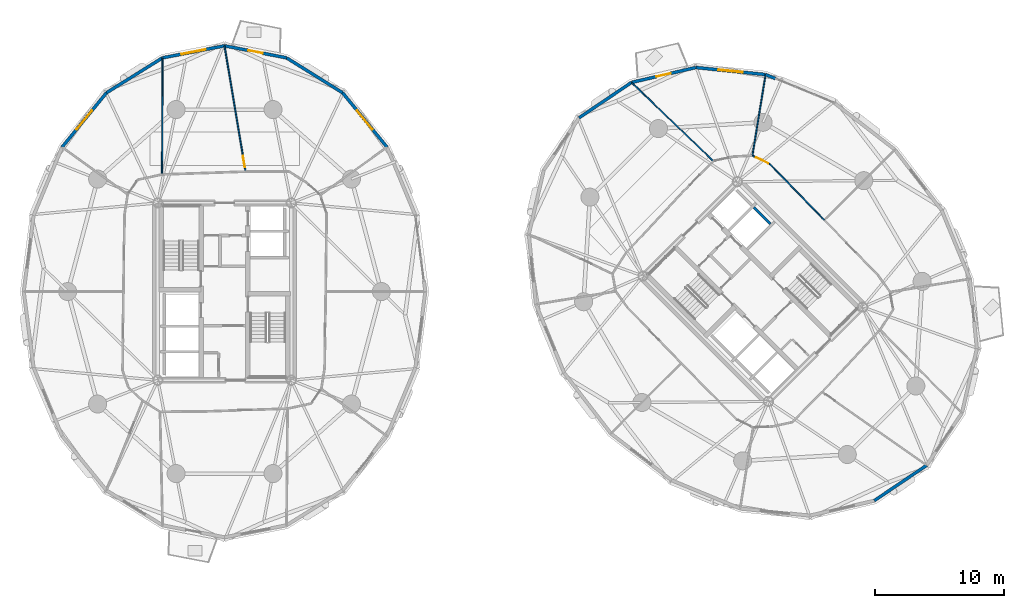
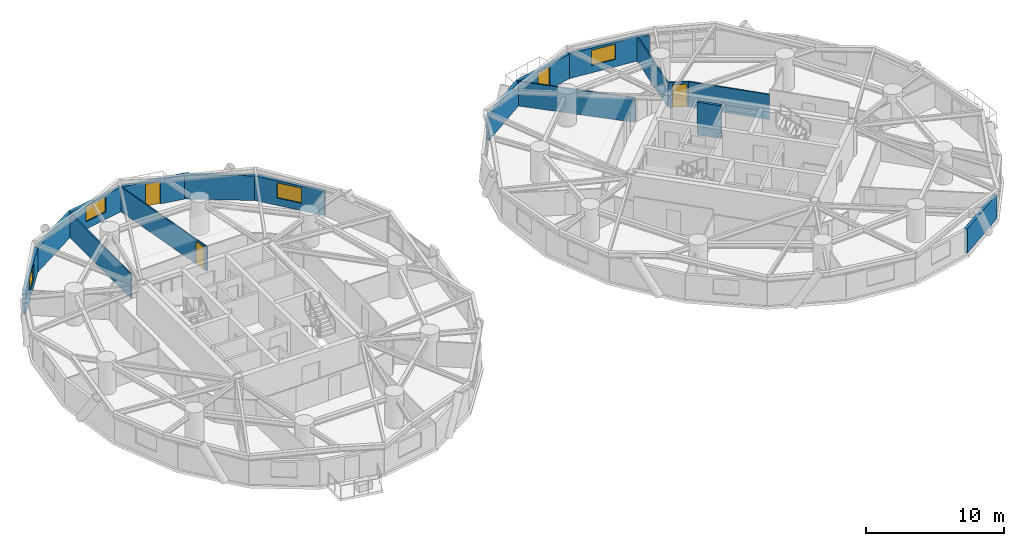
# One storey, part 13 of 17: 18 walls, 4 doors, 4 windows, 8 openings.
"""IFC4 building model written with IfcOpenShell, lengths in metres."""

from ifc_helpers import new_model, si_unit, direction, frame, frame_2d, origin, place, context, subcontext, project, spatial, rectangle, extrude, source, transform, mapped, material, layer, layer_set, type_object, element, fill, save


model = new_model("IFC4")

# Units and contexts
model_context = context("Model", 3, precision=1e-05, world=origin(), true_north=direction((0.0, 1.0)))
body_context = subcontext(model_context, "Body", "Model", "MODEL_VIEW")
ifc_project = project(units=[si_unit("LENGTHUNIT", "METRE"), si_unit("AREAUNIT", "SQUARE_METRE"), si_unit("VOLUMEUNIT", "CUBIC_METRE"), si_unit("PLANEANGLEUNIT", "RADIAN"), si_unit("MASSUNIT", "GRAM", prefix="KILO")], contexts=[model_context])

# Site, building, storey
site_placement = place(None, origin())
site = spatial("IfcSite", under=ifc_project, at=site_placement, CompositionType="ELEMENT")
building_placement = place(site_placement, origin())
building = spatial("IfcBuilding", under=site, at=building_placement, Name="Cununo Teusaquillo Station Towers", CompositionType="ELEMENT")
storey_placement = place(building_placement, frame((0.0, 0.0, 96.340087890625)))
storey = spatial("IfcBuildingStorey", under=building, at=storey_placement, Name="L30", CompositionType="ELEMENT", Elevation=96.340087890625)

# Wall
ifc_material_1 = material(Name="Concrete C50/60", Category="concrete")
ifc_layer_1 = layer(ifc_material_1, 0.199951171875)
ifc_layer_set_1 = layer_set([ifc_layer_1], Name="Concrete C50/60")
wall_type_1 = type_object("IfcWallType", Name="WL-CORE-200", PredefinedType="SHEAR", material=ifc_layer_set_1)
wall_1_placement = place(storey_placement, frame((58.86474609375, 29.75390625, 0.0), z_axis=(0.0, 0.0, 1.0), x_axis=(-0.707174411312, 0.707039144592, 0.0)))
element("IfcWall", 1, at=wall_1_placement, inside=storey, type_object=wall_type_1, Name="L30 Tower B Low-Rise Lift 1 Shaft Rear Shear Wall", PredefinedType="SHEAR", context=body_context, shape_type="SweptSolid", body=[
    extrude(rectangle(XDim=1.804931640625, YDim=0.199951171875, at=frame_2d((0.90234375, 0.0))), origin(), (0.0, 0.0, 1.0), 2.909912109375),
])

# Wall, opening, window
ifc_material_2 = material(Name="Precast concrete C40/50", Category="concrete")
ifc_layer_2 = layer(ifc_material_2, 0.239990234375)
ifc_layer_set_2 = layer_set([ifc_layer_2], Name="Precast concrete C40/50")
wall_type_2 = type_object("IfcWallType", Name="WL-EXT-240", PredefinedType="SOLIDWALL", material=ifc_layer_set_2)
wall_2_placement = place(storey_placement, frame((25.658203125, 39.927978515625, 0.0), z_axis=(0.0, 0.0, 1.0), x_axis=(0.632700781152, -0.77439635945, 0.0)))
wall_2 = element("IfcWall", 2, at=wall_2_placement, inside=storey, type_object=wall_type_2, Name="L30 Tower A Exterior Facade Wall C02", PredefinedType="SOLIDWALL", context=body_context, shape_type="SweptSolid", body=[
    extrude(rectangle(XDim=5.447998046875, YDim=0.239990234375, at=frame_2d((2.72412109375, 0.0))), origin(), (0.0, 0.0, 1.0), 2.178955078125),
])
shared_shape_1 = source(origin(), body_context, "Body", "SweptSolid", [
    extrude(rectangle(XDim=1.89990234375, YDim=1.35009765625, at=frame_2d((0.949951171875, 0.675048828125))), frame((0.0, 0.1298828125, 0.0), z_axis=(0.0, -1.0, 0.0), x_axis=(1.0, 0.0, 0.0)), (0.0, 0.0, 1.0), 0.260009765625),
])
opening_1_placement = place(wall_2_placement, frame((1.77392578125, 0.0, 0.64990234375)))
opening_1 = element("IfcOpeningElement", 3, at=opening_1_placement, cuts=wall_2, Name="Opening WN-02", PredefinedType="OPENING", context=body_context, shape_type="MappedRepresentation", body=[
    mapped(shared_shape_1, transform((0.0, 0.0, 0.0), x_axis=(1.0, 0.0, 0.0), y_axis=(0.0, 1.0, 0.0), z_axis=(0.0, 0.0, 1.0), scale=1.0)),
])
ifc_material_3 = material(Name="Operable acoustic tinted low-E double glazing", Category="glass")
window_type = type_object("IfcWindowType", Name="WIN-OPER-1900", PartitioningType="DOUBLE_PANEL_VERTICAL", PredefinedType="WINDOW", material=ifc_material_3)
shared_shape_2 = source(origin(), body_context, "Body", "SweptSolid", [
    extrude(rectangle(XDim=1.89990234375, YDim=1.35009765625, at=frame_2d((0.949951171875, 0.675048828125))), frame((0.0, 0.030029296875, 0.0), z_axis=(0.0, -1.0, 0.0), x_axis=(1.0, 0.0, 0.0)), (0.0, 0.0, 1.0), 0.06005859375),
])
window_1_placement = place(opening_1_placement, origin())
window_1 = element("IfcWindow", 4, at=window_1_placement, inside=storey, type_object=window_type, Name="L30 Tower A Facade Window C02", OverallHeight=1.35009765625, OverallWidth=1.89990234375, PartitioningType="DOUBLE_PANEL_VERTICAL", PredefinedType="WINDOW", context=body_context, shape_type="MappedRepresentation", body=[
    mapped(shared_shape_2, transform((0.0, 0.0, 0.0), x_axis=(1.0, 0.0, 0.0), y_axis=(0.0, 1.0, 0.0), z_axis=(0.0, 0.0, 1.0), scale=1.0)),
])
fill(opening_1, window_1)

# Wall
wall_3_placement = place(storey_placement, frame((21.314697265625, 42.63671875, 0.0), z_axis=(0.0, 0.0, 1.0), x_axis=(0.848520380187, -0.529162701263, 0.0)))
element("IfcWall", 5, at=wall_3_placement, inside=storey, type_object=wall_type_2, Name="L30 Tower A Exterior Facade Wall C03", PredefinedType="SOLIDWALL", context=body_context, shape_type="SweptSolid", body=[
    extrude(rectangle(XDim=5.118896484375, YDim=0.239990234375, at=frame_2d((2.5595703125, 0.0))), origin(), (0.0, 0.0, 1.0), 2.178955078125),
])

# Wall, opening, door
wall_4_placement = place(storey_placement, frame((16.5, 43.570068359375, 0.0), z_axis=(0.0, 0.0, 1.0), x_axis=(0.981723785992, -0.190311344954, 0.0)))
wall_4 = element("IfcWall", 6, at=wall_4_placement, inside=storey, type_object=wall_type_2, Name="L30 Tower A Exterior Facade Wall C04", PredefinedType="SOLIDWALL", context=body_context, shape_type="SweptSolid", body=[
    extrude(rectangle(XDim=4.904296875, YDim=0.239990234375, at=frame_2d((2.4521484375, 0.0))), origin(), (0.0, 0.0, 1.0), 2.178955078125),
])
shared_shape_3 = source(origin(), body_context, "Body", "SweptSolid", [
    extrude(rectangle(XDim=1.14990234375, YDim=2.0048828125, at=frame_2d((0.574951171875, 1.00244140625))), frame((0.0, 0.1298828125, 0.0), z_axis=(0.0, -1.0, 0.0), x_axis=(1.0, 0.0, 0.0)), (0.0, 0.0, 1.0), 0.260009765625),
])
opening_2_placement = place(wall_4_placement, frame((1.876953125, 0.0, 0.0)))
opening_2 = element("IfcOpeningElement", 7, at=opening_2_placement, cuts=wall_4, Name="Opening ED-03", PredefinedType="OPENING", context=body_context, shape_type="MappedRepresentation", body=[
    mapped(shared_shape_3, transform((0.0, 0.0, 0.0), x_axis=(1.0, 0.0, 0.0), y_axis=(0.0, 1.0, 0.0), z_axis=(0.0, 0.0, 1.0), scale=1.0)),
])
ifc_material_4 = material(Name="Anodised dark bronze aluminium EN AW-6063-T6", Category="aluminium")
door_type_1 = type_object("IfcDoorType", Name="DR-EXT-BAL", OperationType="NOTDEFINED", PredefinedType="DOOR", material=ifc_material_4)
shared_shape_4 = source(origin(), body_context, "Body", "SweptSolid", [
    extrude(rectangle(XDim=1.14990234375, YDim=2.0048828125, at=frame_2d((0.574951171875, 1.00244140625))), frame((0.0, 0.02490234375, 0.0), z_axis=(0.0, -1.0, 0.0), x_axis=(1.0, 0.0, 0.0)), (0.0, 0.0, 1.0), 0.050048828125),
])
door_1_placement = place(opening_2_placement, origin())
door_1 = element("IfcDoor", 8, at=door_1_placement, inside=storey, type_object=door_type_1, Name="L30 Tower A Tree Balcony Door C04", OperationType="SINGLE_SWING_LEFT", OverallHeight=2.0048828125, OverallWidth=1.14990234375, PredefinedType="DOOR", context=body_context, shape_type="MappedRepresentation", body=[
    mapped(shared_shape_4, transform((0.0, 0.0, 0.0), x_axis=(1.0, 0.0, 0.0), y_axis=(0.0, 1.0, 0.0), z_axis=(0.0, 0.0, 1.0), scale=1.0)),
])
fill(opening_2, door_1)

# Wall, opening, window
wall_5_placement = place(storey_placement, frame((11.685302734375, 42.63671875, 0.0), z_axis=(0.0, 0.0, 1.0), x_axis=(0.981723785992, 0.190311344954, 0.0)))
wall_5 = element("IfcWall", 9, at=wall_5_placement, inside=storey, type_object=wall_type_2, Name="L30 Tower A Exterior Facade Wall C05", PredefinedType="SOLIDWALL", context=body_context, shape_type="SweptSolid", body=[
    extrude(rectangle(XDim=4.904296875, YDim=0.239990234375, at=frame_2d((2.4521484375, 0.0))), origin(), (0.0, 0.0, 1.0), 2.178955078125),
])
opening_3_placement = place(wall_5_placement, frame((1.501953125, 0.0, 0.64990234375)))
opening_3 = element("IfcOpeningElement", 10, at=opening_3_placement, cuts=wall_5, Name="Opening WN-02", PredefinedType="OPENING", context=body_context, shape_type="MappedRepresentation", body=[
    mapped(shared_shape_1, transform((0.0, 0.0, 0.0), x_axis=(1.0, 0.0, 0.0), y_axis=(0.0, 1.0, 0.0), z_axis=(0.0, 0.0, 1.0), scale=1.0)),
])
window_2_placement = place(opening_3_placement, origin())
window_2 = element("IfcWindow", 11, at=window_2_placement, inside=storey, type_object=window_type, Name="L30 Tower A Facade Window C05", OverallHeight=1.35009765625, OverallWidth=1.89990234375, PartitioningType="DOUBLE_PANEL_VERTICAL", PredefinedType="WINDOW", context=body_context, shape_type="MappedRepresentation", body=[
    mapped(shared_shape_2, transform((0.0, 0.0, 0.0), x_axis=(1.0, 0.0, 0.0), y_axis=(0.0, 1.0, 0.0), z_axis=(0.0, 0.0, 1.0), scale=1.0)),
])
fill(opening_3, window_2)

# Wall
wall_6_placement = place(storey_placement, frame((7.341796875, 39.927978515625, 0.0), z_axis=(0.0, 0.0, 1.0), x_axis=(0.848520380187, 0.529162701263, 0.0)))
element("IfcWall", 12, at=wall_6_placement, inside=storey, type_object=wall_type_2, Name="L30 Tower A Exterior Facade Wall C06", PredefinedType="SOLIDWALL", context=body_context, shape_type="SweptSolid", body=[
    extrude(rectangle(XDim=5.118896484375, YDim=0.239990234375, at=frame_2d((2.5595703125, 0.0))), origin(), (0.0, 0.0, 1.0), 2.178955078125),
])

# Wall, opening, window
wall_7_placement = place(storey_placement, frame((3.894775390625, 35.708984375, 0.0), z_axis=(0.0, 0.0, 1.0), x_axis=(0.632700781152, 0.77439635945, 0.0)))
wall_7 = element("IfcWall", 13, at=wall_7_placement, inside=storey, type_object=wall_type_2, Name="L30 Tower A Exterior Facade Wall C07", PredefinedType="SOLIDWALL", context=body_context, shape_type="SweptSolid", body=[
    extrude(rectangle(XDim=5.447998046875, YDim=0.239990234375, at=frame_2d((2.72412109375, 0.0))), origin(), (0.0, 0.0, 1.0), 2.178955078125),
])
opening_4_placement = place(wall_7_placement, frame((1.77392578125, 0.0, 0.64990234375)))
opening_4 = element("IfcOpeningElement", 14, at=opening_4_placement, cuts=wall_7, Name="Opening WN-02", PredefinedType="OPENING", context=body_context, shape_type="MappedRepresentation", body=[
    mapped(shared_shape_1, transform((0.0, 0.0, 0.0), x_axis=(1.0, 0.0, 0.0), y_axis=(0.0, 1.0, 0.0), z_axis=(0.0, 0.0, 1.0), scale=1.0)),
])
window_3_placement = place(opening_4_placement, origin())
window_3 = element("IfcWindow", 15, at=window_3_placement, inside=storey, type_object=window_type, Name="L30 Tower A Facade Window C07", OverallHeight=1.35009765625, OverallWidth=1.89990234375, PartitioningType="DOUBLE_PANEL_VERTICAL", PredefinedType="WINDOW", context=body_context, shape_type="MappedRepresentation", body=[
    mapped(shared_shape_2, transform((0.0, 0.0, 0.0), x_axis=(1.0, 0.0, 0.0), y_axis=(0.0, 1.0, 0.0), z_axis=(0.0, 0.0, 1.0), scale=1.0)),
])
fill(opening_4, window_3)

# Wall
wall_8_placement = place(storey_placement, frame((58.4873046875, 41.33935546875, 0.0), z_axis=(0.0, 0.0, 1.0), x_axis=(0.924556017656, -0.381046152345, 0.0)))
element("IfcWall", 16, at=wall_8_placement, inside=storey, type_object=wall_type_2, Name="L30 Tower B Column Pier Cladding Wall C01-PA", PredefinedType="SOLIDWALL", context=body_context, shape_type="SweptSolid", body=[
    extrude(rectangle(XDim=0.8701171875, YDim=0.239990234375, at=frame_2d((0.43505859375, 0.0))), origin(), (0.0, 0.0, 1.0), 2.178955078125),
])

# Wall, opening, window
wall_9_placement = place(storey_placement, frame((53.066650390625, 41.885009765625, 0.0), z_axis=(0.0, 0.0, 1.0), x_axis=(0.994971754311, -0.10015591906, 0.0)))
wall_9 = element("IfcWall", 17, at=wall_9_placement, inside=storey, type_object=wall_type_2, Name="L30 Tower B Exterior Facade Wall C02", PredefinedType="SOLIDWALL", context=body_context, shape_type="SweptSolid", body=[
    extrude(rectangle(XDim=5.447998046875, YDim=0.239990234375, at=frame_2d((2.72412109375, 0.0))), origin(), (0.0, 0.0, 1.0), 2.178955078125),
])
opening_5_placement = place(wall_9_placement, frame((1.77392578125, 0.0, 0.64990234375)))
opening_5 = element("IfcOpeningElement", 18, at=opening_5_placement, cuts=wall_9, Name="Opening WN-02", PredefinedType="OPENING", context=body_context, shape_type="MappedRepresentation", body=[
    mapped(shared_shape_1, transform((0.0, 0.0, 0.0), x_axis=(1.0, 0.0, 0.0), y_axis=(0.0, 1.0, 0.0), z_axis=(0.0, 0.0, 1.0), scale=1.0)),
])
window_4_placement = place(opening_5_placement, origin())
window_4 = element("IfcWindow", 19, at=window_4_placement, inside=storey, type_object=window_type, Name="L30 Tower B Facade Window C02", OverallHeight=1.35009765625, OverallWidth=1.89990234375, PartitioningType="DOUBLE_PANEL_VERTICAL", PredefinedType="WINDOW", context=body_context, shape_type="MappedRepresentation", body=[
    mapped(shared_shape_2, transform((0.0, 0.0, 0.0), x_axis=(1.0, 0.0, 0.0), y_axis=(0.0, 1.0, 0.0), z_axis=(0.0, 0.0, 1.0), scale=1.0)),
])
fill(opening_5, window_4)

# Wall, opening, door
wall_10_placement = place(storey_placement, frame((48.080078125, 40.72900390625, 0.0), z_axis=(0.0, 0.0, 1.0), x_axis=(0.974165631126, 0.225834725257, 0.0)))
wall_10 = element("IfcWall", 20, at=wall_10_placement, inside=storey, type_object=wall_type_2, Name="L30 Tower B Exterior Facade Wall C03", PredefinedType="SOLIDWALL", context=body_context, shape_type="SweptSolid", body=[
    extrude(rectangle(XDim=5.118896484375, YDim=0.239990234375, at=frame_2d((2.5595703125, 0.0))), origin(), (0.0, 0.0, 1.0), 2.178955078125),
])
opening_6_placement = place(wall_10_placement, frame((1.98388671875, 0.0, 0.0)))
opening_6 = element("IfcOpeningElement", 21, at=opening_6_placement, cuts=wall_10, Name="Opening ED-03", PredefinedType="OPENING", context=body_context, shape_type="MappedRepresentation", body=[
    mapped(shared_shape_3, transform((0.0, 0.0, 0.0), x_axis=(1.0, 0.0, 0.0), y_axis=(0.0, 1.0, 0.0), z_axis=(0.0, 0.0, 1.0), scale=1.0)),
])
door_2_placement = place(opening_6_placement, origin())
door_2 = element("IfcDoor", 22, at=door_2_placement, inside=storey, type_object=door_type_1, Name="L30 Tower B Tree Balcony Door C03", OperationType="SINGLE_SWING_LEFT", OverallHeight=2.0048828125, OverallWidth=1.14990234375, PredefinedType="DOOR", context=body_context, shape_type="MappedRepresentation", body=[
    mapped(shared_shape_4, transform((0.0, 0.0, 0.0), x_axis=(1.0, 0.0, 0.0), y_axis=(0.0, 1.0, 0.0), z_axis=(0.0, 0.0, 1.0), scale=1.0)),
])
fill(opening_6, door_2)

# Walls
for number, where, z_axis, x_axis, name in (
    (23, (44.015380859375, 37.984619140625, 0.0), (0.0, 0.0, 1.0), (0.828781148131, 0.559572880421, 0.0), "L30 Tower B Exterior Facade Wall C04"),
    (24, (70.984619140625, 11.015380859375, 0.0), (0.0, 0.0, 1.0), (-0.828781148131, -0.559572880421, 0.0), "L30 Tower B Exterior Facade Wall C14"),
):
    element("IfcWall", number, at=place(storey_placement, frame(where, z_axis=z_axis, x_axis=x_axis)), inside=storey, type_object=wall_type_2, Name=name, PredefinedType="SOLIDWALL", context=body_context, shape_type="SweptSolid", body=[
        extrude(rectangle(XDim=4.904541015625, YDim=0.239990234375, at=frame_2d((2.4521484375, 0.0))), origin(), (0.0, 0.0, 1.0), 2.178955078125),
    ])
ifc_material_5 = material(Name="Fire-rated gypsum plasterboard partition assembly", Category="gypsum")
ifc_layer_3 = layer(ifc_material_5, 0.10009765625)
ifc_layer_set_3 = layer_set([ifc_layer_3], Name="Fire-rated gypsum plasterboard partition assembly")
wall_type_3 = type_object("IfcWallType", Name="WL-PART-100", PredefinedType="MOVABLE", material=ifc_layer_set_3)
wall_11_placement = place(storey_placement, frame((11.650390625, 33.587890625, 0.0), z_axis=(0.0, 0.0, 1.0), x_axis=(0.004542212376, 0.9999896841, 0.0)))
element("IfcWall", 25, at=wall_11_placement, inside=storey, type_object=wall_type_3, Name="L30 Tower A Radial Suite Partition R03", PredefinedType="MOVABLE", context=body_context, shape_type="SweptSolid", body=[
    extrude(rectangle(XDim=9.02978515625, YDim=0.10009765625, at=frame_2d((4.514892578125, 0.0))), origin(), (0.0, 0.0, 1.0), 2.178955078125),
])

# Wall, opening, door
wall_12_placement = place(storey_placement, frame((18.1328125, 33.8095703125, 0.0), z_axis=(0.0, 0.0, 1.0), x_axis=(-0.165324898919, 0.98623915852, 0.0)))
wall_12 = element("IfcWall", 26, at=wall_12_placement, inside=storey, type_object=wall_type_3, Name="L30 Tower A Quantitative Risk Analytics Practice Suite Subdividing Wall", PredefinedType="MOVABLE", context=body_context, shape_type="SweptSolid", body=[
    extrude(rectangle(XDim=9.87646484375, YDim=0.10009765625, at=frame_2d((4.938232421875, 0.0))), origin(), (0.0, 0.0, 1.0), 2.178955078125),
])
shared_shape_5 = source(origin(), body_context, "Body", "SweptSolid", [
    extrude(rectangle(XDim=0.89990234375, YDim=2.0048828125, at=frame_2d((0.449951171875, 1.00244140625))), frame((0.0, 0.06005859375, 0.0), z_axis=(0.0, -1.0, 0.0), x_axis=(1.0, 0.0, 0.0)), (0.0, 0.0, 1.0), 0.1201171875),
])
opening_7_placement = place(wall_12_placement, frame((0.330078125, 0.0, 0.0)))
opening_7 = element("IfcOpeningElement", 27, at=opening_7_placement, cuts=wall_12, Name="Opening D-IN1", PredefinedType="OPENING", context=body_context, shape_type="MappedRepresentation", body=[
    mapped(shared_shape_5, transform((0.0, 0.0, 0.0), x_axis=(1.0, 0.0, 0.0), y_axis=(0.0, 1.0, 0.0), z_axis=(0.0, 0.0, 1.0), scale=1.0)),
])
ifc_material_6 = material(Name="Acoustic solid-core hardwood leaf assembly", Category="wood")
door_type_2 = type_object("IfcDoorType", Name="DR-INT-900", OperationType="NOTDEFINED", PredefinedType="DOOR", material=ifc_material_6)
shared_shape_6 = source(origin(), body_context, "Body", "SweptSolid", [
    extrude(rectangle(XDim=0.89990234375, YDim=2.0048828125, at=frame_2d((0.449951171875, 1.00244140625))), frame((0.0, 0.02490234375, 0.0), z_axis=(0.0, -1.0, 0.0), x_axis=(1.0, 0.0, 0.0)), (0.0, 0.0, 1.0), 0.050048828125),
])
door_3_placement = place(opening_7_placement, origin())
door_3 = element("IfcDoor", 28, at=door_3_placement, inside=storey, type_object=door_type_2, Name="L30 Tower A Quantitative Risk Analytics Practice Suite Connecting Door", OperationType="SINGLE_SWING_RIGHT", OverallHeight=2.0048828125, OverallWidth=0.89990234375, PredefinedType="DOOR", context=body_context, shape_type="MappedRepresentation", body=[
    mapped(shared_shape_6, transform((0.0, 0.0, 0.0), x_axis=(1.0, 0.0, 0.0), y_axis=(0.0, 1.0, 0.0), z_axis=(0.0, 0.0, 1.0), scale=1.0)),
])
fill(opening_7, door_3)

# Wall
wall_13_placement = place(storey_placement, frame((63.05078125, 30.05078125, 0.0), z_axis=(0.0, 0.0, 1.0), x_axis=(-0.698911483116, 0.715208178622, 0.0)))
element("IfcWall", 29, at=wall_13_placement, inside=storey, type_object=wall_type_3, Name="L30 Tower B Corridor Ring Wall C00", PredefinedType="MOVABLE", context=body_context, shape_type="SweptSolid", body=[
    extrude(rectangle(XDim=6.082275390625, YDim=0.10009765625, at=frame_2d((3.041015625, 0.0))), origin(), (0.0, 0.0, 1.0), 2.224853515625),
])

# Wall, opening, door
wall_14_placement = place(storey_placement, frame((58.7998046875, 34.40087890625, 0.0), z_axis=(0.0, 0.0, 1.0), x_axis=(-0.899620612635, 0.436672363818, 0.0)))
wall_14 = element("IfcWall", 30, at=wall_14_placement, inside=storey, type_object=wall_type_3, Name="L30 Tower B Corridor Ring Wall C01", PredefinedType="MOVABLE", context=body_context, shape_type="SweptSolid", body=[
    extrude(rectangle(XDim=1.486572265625, YDim=0.10009765625, at=frame_2d((0.7431640625, 0.0))), origin(), (0.0, 0.0, 1.0), 2.224853515625),
])
shared_shape_7 = source(origin(), body_context, "Body", "SweptSolid", [
    extrude(rectangle(XDim=1.050048828125, YDim=2.014892578125, at=frame_2d((0.52490234375, 1.00732421875))), frame((0.0, 0.06005859375, 0.0), z_axis=(0.0, -1.0, 0.0), x_axis=(1.0, 0.0, 0.0)), (0.0, 0.0, 1.0), 0.1201171875),
])
opening_8_placement = place(wall_14_placement, frame((0.1201171875, 0.0, 0.0)))
opening_8 = element("IfcOpeningElement", 31, at=opening_8_placement, cuts=wall_14, Name="Opening D-SU1", PredefinedType="OPENING", context=body_context, shape_type="MappedRepresentation", body=[
    mapped(shared_shape_7, transform((0.0, 0.0, 0.0), x_axis=(1.0, 0.0, 0.0), y_axis=(0.0, 1.0, 0.0), z_axis=(0.0, 0.0, 1.0), scale=1.0)),
])
ifc_material_7 = material(Name="Acoustic solid-core hardwood leaf assembly", Category="wood")
door_type_3 = type_object("IfcDoorType", Name="DR-SUITE-1050", OperationType="NOTDEFINED", PredefinedType="DOOR", material=ifc_material_7)
shared_shape_8 = source(origin(), body_context, "Body", "SweptSolid", [
    extrude(rectangle(XDim=1.050048828125, YDim=2.014892578125, at=frame_2d((0.52490234375, 1.00732421875))), frame((0.0, 0.02490234375, 0.0), z_axis=(0.0, -1.0, 0.0), x_axis=(1.0, 0.0, 0.0)), (0.0, 0.0, 1.0), 0.050048828125),
])
door_4_placement = place(opening_8_placement, origin())
door_4 = element("IfcDoor", 32, at=door_4_placement, inside=storey, type_object=door_type_3, Name="L30 Tower B Equities & Carbon Desk Trading Hall Entrance Door", OperationType="SINGLE_SWING_LEFT", OverallHeight=2.014892578125, OverallWidth=1.050048828125, PredefinedType="DOOR", context=body_context, shape_type="MappedRepresentation", body=[
    mapped(shared_shape_8, transform((0.0, 0.0, 0.0), x_axis=(1.0, 0.0, 0.0), y_axis=(0.0, 1.0, 0.0), z_axis=(0.0, 0.0, 1.0), scale=1.0)),
])
fill(opening_8, door_4)

# Walls
wall_15_placement = place(storey_placement, frame((57.46240234375, 35.050048828125, 0.0), z_axis=(0.0, 0.0, 1.0), x_axis=(0.160845392798, 0.98697961459, 0.0)))
element("IfcWall", 33, at=wall_15_placement, inside=storey, type_object=wall_type_3, Name="L30 Tower B Radial Suite Partition R02", PredefinedType="MOVABLE", context=body_context, shape_type="SweptSolid", body=[
    extrude(rectangle(XDim=6.352294921875, YDim=0.10009765625, at=frame_2d((3.17626953125, 0.0))), origin(), (0.0, 0.0, 1.0), 2.178955078125),
])
wall_16_placement = place(storey_placement, frame((54.439697265625, 34.626220703125, 0.0), z_axis=(0.0, 0.0, 1.0), x_axis=(-0.722045979822, 0.691845071547, 0.0)))
element("IfcWall", 34, at=wall_16_placement, inside=storey, type_object=wall_type_3, Name="L30 Tower B Radial Suite Partition R03", PredefinedType="MOVABLE", context=body_context, shape_type="SweptSolid", body=[
    extrude(rectangle(XDim=8.795166015625, YDim=0.10009765625, at=frame_2d((4.3974609375, 0.0))), origin(), (0.0, 0.0, 1.0), 2.178955078125),
])

save(model, "model.ifc")
